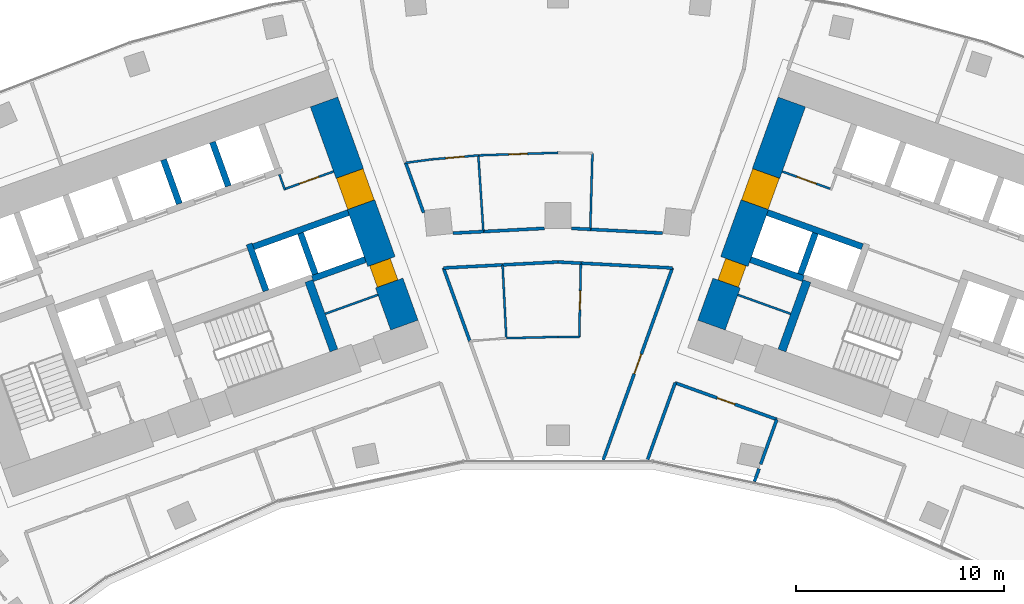
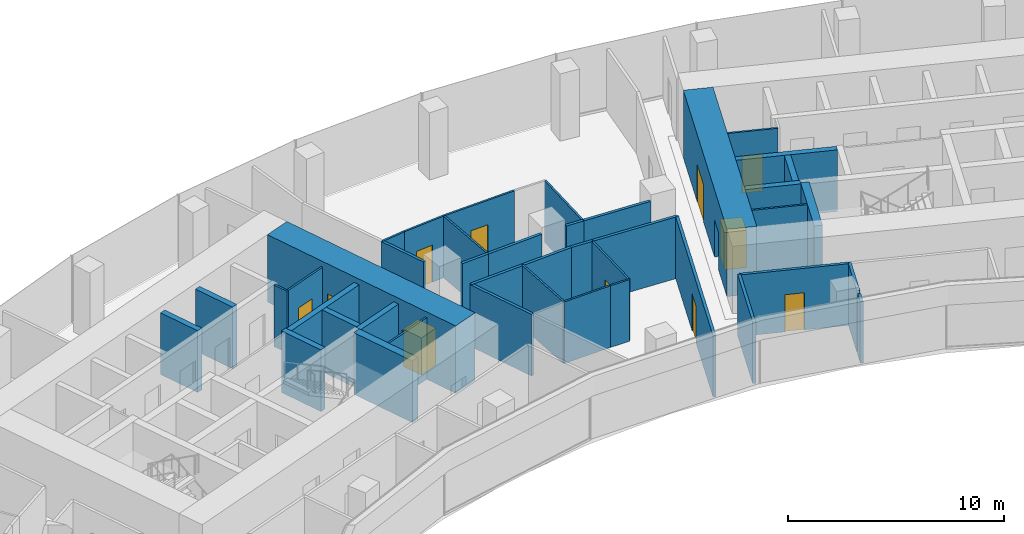
# One storey, part 15 of 21: 42 walls, 11 doors, 11 openings.
"""IFC4 building model written with IfcOpenShell, lengths in metres."""

from ifc_helpers import new_model, si_unit, direction, frame, frame_2d, origin, place, context, subcontext, project, spatial, rectangle, extrude, material, layer, layer_set, type_object, element, fill, save


model = new_model("IFC4")

# Units and contexts
model_context = context("Model", 3, precision=1e-05, world=origin(), true_north=direction((0.0, 1.0)))
body_context = subcontext(model_context, "Body", "Model", "MODEL_VIEW")
ifc_project = project(units=[si_unit("LENGTHUNIT", "METRE"), si_unit("AREAUNIT", "SQUARE_METRE"), si_unit("VOLUMEUNIT", "CUBIC_METRE"), si_unit("PLANEANGLEUNIT", "RADIAN"), si_unit("MASSUNIT", "GRAM", prefix="KILO")], contexts=[model_context])

# Site, building, storey
site_placement = place(None, origin())
site = spatial("IfcSite", under=ifc_project, at=site_placement, CompositionType="ELEMENT")
building_placement = place(site_placement, origin())
building = spatial("IfcBuilding", under=site, at=building_placement, Name="Stone Belt Terrace Tower", CompositionType="ELEMENT")
storey_placement = place(building_placement, frame((0.0, 0.0, 159.199951171875)))
storey = spatial("IfcBuildingStorey", under=building, at=storey_placement, Name="L38", CompositionType="ELEMENT", Elevation=159.199951171875)

# Walls
ifc_material_1 = material(Name="Plasterboard partition")
ifc_layer_1 = layer(ifc_material_1, 0.10009765625)
ifc_layer_set_1 = layer_set([ifc_layer_1], Name="Core partition 100")
wall_type_1 = type_object("IfcWallType", Name="Core partition 100", PredefinedType="PARTITIONING", material=ifc_layer_set_1)
wall_1_placement = place(storey_placement, frame((-11.187744140625, 50.2822265625, 0.0), z_axis=(0.0, 0.0, 1.0), x_axis=(0.940949642365, 0.338546555931, 0.0)))
element("IfcWall", 1, at=wall_1_placement, inside=storey, type_object=wall_type_1, Name="Core A wall", PredefinedType="PARTITIONING", context=body_context, shape_type="SweptSolid", body=[
    extrude(rectangle(XDim=2.699951171875, YDim=0.10009765625, at=frame_2d((1.35009765625, 0.0))), origin(), (0.0, 0.0, 1.0), 3.47998046875),
])
wall_2_placement = place(storey_placement, frame((-13.115966796875, 56.230712890625, 0.0), z_axis=(0.0, 0.0, 1.0), x_axis=(-0.338481684961, 0.940972979923, 0.0)))
element("IfcWall", 2, at=wall_2_placement, inside=storey, type_object=wall_type_1, Name="Core A wall", PredefinedType="PARTITIONING", context=body_context, shape_type="SweptSolid", body=[
    extrude(rectangle(XDim=0.7998046875, YDim=0.10009765625, at=frame_2d((0.39990234375, 0.0))), origin(), (0.0, 0.0, 1.0), 3.47998046875),
])

# Wall, opening, door
wall_3_placement = place(storey_placement, frame((-13.085693359375, 56.294677734375, 0.0), z_axis=(0.0, 0.0, 1.0), x_axis=(0.940922976849, 0.338620660383, 0.0)))
wall_3 = element("IfcWall", 3, at=wall_3_placement, inside=storey, type_object=wall_type_1, Name="Core A wall", PredefinedType="PARTITIONING", context=body_context, shape_type="SweptSolid", body=[
    extrude(rectangle(XDim=2.449951171875, YDim=0.10009765625, at=frame_2d((1.22509765625, 0.0))), origin(), (0.0, 0.0, 1.0), 3.47998046875),
])
opening_1_placement = place(wall_3_placement, frame((0.699951171875, 0.0, 0.0)))
opening_1 = element("IfcOpeningElement", 4, at=opening_1_placement, cuts=wall_3, Name="Opening L38-C01", PredefinedType="OPENING", context=body_context, shape_type="SweptSolid", body=[
    extrude(rectangle(XDim=1.0, YDim=2.10009765625, at=frame_2d((0.5, 1.050048828125))), frame((0.0, 0.06005859375, 0.0), z_axis=(0.0, -1.0, 0.0), x_axis=(1.0, 0.0, 0.0)), (0.0, 0.0, 1.0), 0.1201171875),
])
ifc_material_2 = material(Name="Timber door leaf", Category="wood")
door_type_1 = type_object("IfcDoorType", Name="Core room door 1000", OperationType="SINGLE_SWING_LEFT", PredefinedType="DOOR", material=ifc_material_2)
door_1_placement = place(opening_1_placement, origin())
door_1 = element("IfcDoor", 5, at=door_1_placement, inside=storey, type_object=door_type_1, Name="Door to Services store core A", OperationType="SINGLE_SWING_RIGHT", OverallHeight=2.10009765625, OverallWidth=1.0, PredefinedType="DOOR", context=body_context, shape_type="SweptSolid", body=[
    extrude(rectangle(XDim=1.0, YDim=2.10009765625, at=frame_2d((0.5, 1.050048828125))), frame((0.0, 0.02490234375, 0.0), z_axis=(0.0, -1.0, 0.0), x_axis=(1.0, 0.0, 0.0)), (0.0, 0.0, 1.0), 0.050048828125),
])
fill(opening_1, door_1)

# Wall
wall_4_placement = place(storey_placement, frame((11.187744140625, 50.2822265625, 0.0), z_axis=(0.0, 0.0, 1.0), x_axis=(-0.940949642365, 0.338546555931, 0.0)))
element("IfcWall", 6, at=wall_4_placement, inside=storey, type_object=wall_type_1, Name="Core B wall", PredefinedType="PARTITIONING", context=body_context, shape_type="SweptSolid", body=[
    extrude(rectangle(XDim=2.699951171875, YDim=0.10009765625, at=frame_2d((1.35009765625, 0.0))), origin(), (0.0, 0.0, 1.0), 3.47998046875),
])

# Wall, opening, door
wall_5_placement = place(storey_placement, frame((13.085693359375, 56.294677734375, 0.0), z_axis=(0.0, 0.0, 1.0), x_axis=(-0.940922976849, 0.338620660383, 0.0)))
wall_5 = element("IfcWall", 7, at=wall_5_placement, inside=storey, type_object=wall_type_1, Name="Core B wall", PredefinedType="PARTITIONING", context=body_context, shape_type="SweptSolid", body=[
    extrude(rectangle(XDim=2.449951171875, YDim=0.10009765625, at=frame_2d((1.22509765625, 0.0))), origin(), (0.0, 0.0, 1.0), 3.47998046875),
])
opening_2_placement = place(wall_5_placement, frame((0.699951171875, 0.0, 0.0)))
opening_2 = element("IfcOpeningElement", 8, at=opening_2_placement, cuts=wall_5, Name="Opening L38-C12", PredefinedType="OPENING", context=body_context, shape_type="SweptSolid", body=[
    extrude(rectangle(XDim=1.0, YDim=2.10009765625, at=frame_2d((0.5, 1.050048828125))), frame((0.0, 0.06005859375, 0.0), z_axis=(0.0, -1.0, 0.0), x_axis=(1.0, 0.0, 0.0)), (0.0, 0.0, 1.0), 0.1201171875),
])
door_2_placement = place(opening_2_placement, origin())
door_2 = element("IfcDoor", 9, at=door_2_placement, inside=storey, type_object=door_type_1, Name="Door to Services store core B", OperationType="SINGLE_SWING_LEFT", OverallHeight=2.10009765625, OverallWidth=1.0, PredefinedType="DOOR", context=body_context, shape_type="SweptSolid", body=[
    extrude(rectangle(XDim=1.0, YDim=2.10009765625, at=frame_2d((0.5, 1.050048828125))), frame((0.0, 0.02490234375, 0.0), z_axis=(0.0, -1.0, 0.0), x_axis=(1.0, 0.0, 0.0)), (0.0, 0.0, 1.0), 0.050048828125),
])
fill(opening_2, door_2)

# Wall, openings, doors
ifc_material_3 = material(Name="Concrete B80", Category="concrete")
ifc_layer_2 = layer(ifc_material_3, 1.39990234375)
ifc_layer_set_2 = layer_set([ifc_layer_2], Name="Core wall 1400 B80")
wall_type_2 = type_object("IfcWallType", Name="Core wall 1400 B80", PredefinedType="SHEAR", material=ifc_layer_set_2)
wall_6_placement = place(storey_placement, frame((-7.379150390625, 49.73974609375, 0.0), z_axis=(0.0, 0.0, 1.0), x_axis=(-0.338625431531, 0.940921259788, 0.0)))
wall_6 = element("IfcWall", 10, at=wall_6_placement, inside=storey, type_object=wall_type_2, Name="Core A wall end_b L38", PredefinedType="SHEAR", context=body_context, shape_type="SweptSolid", body=[
    extrude(rectangle(XDim=11.400146484375, YDim=1.39990234375, at=frame_2d((5.7001953125, 0.0))), origin(), (0.0, 0.0, 1.0), 3.800048828125),
])
opening_3_placement = place(wall_6_placement, frame((6.14990234375, 0.0, 0.0)))
opening_3 = element("IfcOpeningElement", 11, at=opening_3_placement, cuts=wall_6, Name="Opening L38-C04", PredefinedType="OPENING", context=body_context, shape_type="SweptSolid", body=[
    extrude(rectangle(XDim=1.60009765625, YDim=2.10009765625, at=frame_2d((0.800048828125, 1.050048828125))), frame((0.0, 0.7099609375, 0.0), z_axis=(0.0, -1.0, 0.0), x_axis=(1.0, 0.0, 0.0)), (0.0, 0.0, 1.0), 1.419921875),
])
opening_4_placement = place(wall_6_placement, frame((2.14990234375, 0.0, 0.0)))
opening_4 = element("IfcOpeningElement", 12, at=opening_4_placement, cuts=wall_6, Name="Opening L38-C10", PredefinedType="OPENING", context=body_context, shape_type="SweptSolid", body=[
    extrude(rectangle(XDim=1.10009765625, YDim=2.10009765625, at=frame_2d((0.550048828125, 1.050048828125))), frame((0.0, 0.7099609375, 0.0), z_axis=(0.0, -1.0, 0.0), x_axis=(1.0, 0.0, 0.0)), (0.0, 0.0, 1.0), 1.419921875),
])
door_type_2 = type_object("IfcDoorType", Name="Core room door 1100", OperationType="SINGLE_SWING_LEFT", PredefinedType="DOOR", material=ifc_material_2)
door_3_placement = place(opening_4_placement, origin())
door_3 = element("IfcDoor", 13, at=door_3_placement, inside=storey, type_object=door_type_2, Name="Door to Accessible WC core A", OperationType="SINGLE_SWING_LEFT", OverallHeight=2.10009765625, OverallWidth=1.10009765625, PredefinedType="DOOR", context=body_context, shape_type="SweptSolid", body=[
    extrude(rectangle(XDim=1.10009765625, YDim=2.10009765625, at=frame_2d((0.550048828125, 1.050048828125))), frame((0.0, 0.60498046875, 0.0), z_axis=(0.0, -1.0, 0.0), x_axis=(1.0, 0.0, 0.0)), (0.0, 0.0, 1.0), 1.050048828125),
])
fill(opening_4, door_3)
ifc_material_4 = material(Name="Glazed aluminium door leaf", Category="aluminium")
door_type_3 = type_object("IfcDoorType", Name="Lift lobby entrance door 1600", OperationType="DOUBLE_DOOR_SINGLE_SWING", PredefinedType="DOOR", material=ifc_material_4)
door_4_placement = place(opening_3_placement, origin())
door_4 = element("IfcDoor", 14, at=door_4_placement, inside=storey, type_object=door_type_3, Name="Lift lobby entrance door core A", OperationType="DOUBLE_DOOR_SINGLE_SWING", OverallHeight=2.10009765625, OverallWidth=1.60009765625, PredefinedType="DOOR", context=body_context, shape_type="SweptSolid", body=[
    extrude(rectangle(XDim=1.60009765625, YDim=2.10009765625, at=frame_2d((0.800048828125, 1.050048828125))), frame((0.0, 0.68017578125, 0.0), z_axis=(0.0, -1.0, 0.0), x_axis=(1.0, 0.0, 0.0)), (0.0, 0.0, 1.0), 1.360107421875),
])
fill(opening_3, door_4)

wall_7_placement = place(storey_placement, frame((7.379150390625, 49.73974609375, 0.0), z_axis=(0.0, 0.0, 1.0), x_axis=(0.338625431531, 0.940921259788, 0.0)))
wall_7 = element("IfcWall", 15, at=wall_7_placement, inside=storey, type_object=wall_type_2, Name="Core B wall end_a L38", PredefinedType="SHEAR", context=body_context, shape_type="SweptSolid", body=[
    extrude(rectangle(XDim=11.400146484375, YDim=1.39990234375, at=frame_2d((5.7001953125, 0.0))), origin(), (0.0, 0.0, 1.0), 3.800048828125),
])
opening_5_placement = place(wall_7_placement, frame((6.14990234375, 0.0, 0.0)))
opening_5 = element("IfcOpeningElement", 16, at=opening_5_placement, cuts=wall_7, Name="Opening L38-C15", PredefinedType="OPENING", context=body_context, shape_type="SweptSolid", body=[
    extrude(rectangle(XDim=1.60009765625, YDim=2.10009765625, at=frame_2d((0.800048828125, 1.050048828125))), frame((0.0, 0.7099609375, 0.0), z_axis=(0.0, -1.0, 0.0), x_axis=(1.0, 0.0, 0.0)), (0.0, 0.0, 1.0), 1.419921875),
])
opening_6_placement = place(wall_7_placement, frame((2.14990234375, 0.0, 0.0)))
opening_6 = element("IfcOpeningElement", 17, at=opening_6_placement, cuts=wall_7, Name="Opening L38-C21", PredefinedType="OPENING", context=body_context, shape_type="SweptSolid", body=[
    extrude(rectangle(XDim=1.10009765625, YDim=2.10009765625, at=frame_2d((0.550048828125, 1.050048828125))), frame((0.0, 0.7099609375, 0.0), z_axis=(0.0, -1.0, 0.0), x_axis=(1.0, 0.0, 0.0)), (0.0, 0.0, 1.0), 1.419921875),
])
door_5_placement = place(opening_6_placement, origin())
door_5 = element("IfcDoor", 18, at=door_5_placement, inside=storey, type_object=door_type_2, Name="Door to Accessible WC core B", OperationType="SINGLE_SWING_RIGHT", OverallHeight=2.10009765625, OverallWidth=1.10009765625, PredefinedType="DOOR", context=body_context, shape_type="SweptSolid", body=[
    extrude(rectangle(XDim=1.10009765625, YDim=2.10009765625, at=frame_2d((0.550048828125, 1.050048828125))), frame((0.0, 0.44482421875, 0.0), z_axis=(0.0, -1.0, 0.0), x_axis=(1.0, 0.0, 0.0)), (0.0, 0.0, 1.0), 1.050048828125),
])
fill(opening_6, door_5)
door_6_placement = place(opening_5_placement, origin())
door_6 = element("IfcDoor", 19, at=door_6_placement, inside=storey, type_object=door_type_3, Name="Lift lobby entrance door core B", OperationType="DOUBLE_DOOR_SINGLE_SWING", OverallHeight=2.10009765625, OverallWidth=1.60009765625, PredefinedType="DOOR", context=body_context, shape_type="SweptSolid", body=[
    extrude(rectangle(XDim=1.60009765625, YDim=2.10009765625, at=frame_2d((0.800048828125, 1.050048828125))), frame((0.0, 0.68017578125, 0.0), z_axis=(0.0, -1.0, 0.0), x_axis=(1.0, 0.0, 0.0)), (0.0, 0.0, 1.0), 1.360107421875),
])
fill(opening_5, door_6)

# Walls
ifc_layer_3 = layer(ifc_material_3, 0.300048828125)
ifc_layer_set_3 = layer_set([ifc_layer_3], Name="Lift shaft wall 300")
wall_type_3 = type_object("IfcWallType", Name="Lift shaft wall 300", PredefinedType="SHEAR", material=ifc_layer_set_3)
wall_8_placement = place(storey_placement, frame((-18.193115234375, 55.572509765625, 0.0), z_axis=(0.0, 0.0, 1.0), x_axis=(-0.338535034312, 0.940953787677, 0.0)))
element("IfcWall", 20, at=wall_8_placement, inside=storey, type_object=wall_type_3, Name="Core A wall", PredefinedType="SHEAR", context=body_context, shape_type="SweptSolid", body=[
    extrude(rectangle(XDim=2.25, YDim=0.300048828125, at=frame_2d((1.125, 0.0))), origin(), (0.0, 0.0, 1.0), 3.47998046875),
])
wall_9_placement = place(storey_placement, frame((-14.029052734375, 51.38525390625, 0.0), z_axis=(0.0, 0.0, 1.0), x_axis=(-0.338661829791, 0.940908159728, 0.0)))
element("IfcWall", 21, at=wall_9_placement, inside=storey, type_object=wall_type_3, Name="Core A wall", PredefinedType="SHEAR", context=body_context, shape_type="SweptSolid", body=[
    extrude(rectangle(XDim=2.39990234375, YDim=0.300048828125, at=frame_2d((1.199951171875, 0.0))), origin(), (0.0, 0.0, 1.0), 3.47998046875),
])
wall_10_placement = place(storey_placement, frame((-14.6328125, 53.506103515625, 0.0), z_axis=(0.0, 0.0, 1.0), x_axis=(0.940931684323, 0.338596464007, 0.0)))
element("IfcWall", 22, at=wall_10_placement, inside=storey, type_object=wall_type_3, Name="Core A wall", PredefinedType="SHEAR", context=body_context, shape_type="SweptSolid", body=[
    extrude(rectangle(XDim=4.849609375, YDim=0.300048828125, at=frame_2d((2.4248046875, 0.0))), origin(), (0.0, 0.0, 1.0), 3.47998046875),
])
wall_11_placement = place(storey_placement, frame((-15.8408203125, 56.419189453125, 0.0), z_axis=(0.0, 0.0, 1.0), x_axis=(-0.338569601369, 0.940941350472, 0.0)))
element("IfcWall", 23, at=wall_11_placement, inside=storey, type_object=wall_type_3, Name="Core A wall", PredefinedType="SHEAR", context=body_context, shape_type="SweptSolid", body=[
    extrude(rectangle(XDim=2.249755859375, YDim=0.300048828125, at=frame_2d((1.125, 0.0))), origin(), (0.0, 0.0, 1.0), 3.47998046875),
])
wall_12_placement = place(storey_placement, frame((-11.797119140625, 51.975830078125, 0.0), z_axis=(0.0, 0.0, 1.0), x_axis=(0.940910465161, 0.33865542451, 0.0)))
element("IfcWall", 24, at=wall_12_placement, inside=storey, type_object=wall_type_3, Name="Core A wall", PredefinedType="SHEAR", context=body_context, shape_type="SweptSolid", body=[
    extrude(rectangle(XDim=2.69970703125, YDim=0.300048828125, at=frame_2d((1.349853515625, 0.0))), origin(), (0.0, 0.0, 1.0), 3.47998046875),
])
wall_13_placement = place(storey_placement, frame((-11.659912109375, 52.184814453125, 0.0), z_axis=(0.0, 0.0, 1.0), x_axis=(-0.338670064856, 0.940905195634, 0.0)))
element("IfcWall", 25, at=wall_13_placement, inside=storey, type_object=wall_type_3, Name="Core A wall", PredefinedType="SHEAR", context=body_context, shape_type="SweptSolid", body=[
    extrude(rectangle(XDim=2.099853515625, YDim=0.300048828125, at=frame_2d((1.0498046875, 0.0))), origin(), (0.0, 0.0, 1.0), 3.47998046875),
])
wall_14_placement = place(storey_placement, frame((14.6328125, 53.506103515625, 0.0), z_axis=(0.0, 0.0, 1.0), x_axis=(-0.940931684323, 0.338596464007, 0.0)))
element("IfcWall", 26, at=wall_14_placement, inside=storey, type_object=wall_type_3, Name="Core B wall", PredefinedType="SHEAR", context=body_context, shape_type="SweptSolid", body=[
    extrude(rectangle(XDim=4.849609375, YDim=0.300048828125, at=frame_2d((2.4248046875, 0.0))), origin(), (0.0, 0.0, 1.0), 3.47998046875),
])
wall_15_placement = place(storey_placement, frame((11.797119140625, 51.975830078125, 0.0), z_axis=(0.0, 0.0, 1.0), x_axis=(-0.940910465161, 0.33865542451, 0.0)))
element("IfcWall", 27, at=wall_15_placement, inside=storey, type_object=wall_type_3, Name="Core B wall", PredefinedType="SHEAR", context=body_context, shape_type="SweptSolid", body=[
    extrude(rectangle(XDim=2.69970703125, YDim=0.300048828125, at=frame_2d((1.349853515625, 0.0))), origin(), (0.0, 0.0, 1.0), 3.47998046875),
])
wall_16_placement = place(storey_placement, frame((11.659912109375, 52.184814453125, 0.0), z_axis=(0.0, 0.0, 1.0), x_axis=(0.338670064856, 0.940905195634, 0.0)))
element("IfcWall", 28, at=wall_16_placement, inside=storey, type_object=wall_type_3, Name="Core B wall", PredefinedType="SHEAR", context=body_context, shape_type="SweptSolid", body=[
    extrude(rectangle(XDim=2.099853515625, YDim=0.300048828125, at=frame_2d((1.0498046875, 0.0))), origin(), (0.0, 0.0, 1.0), 3.47998046875),
])
ifc_material_5 = material(Name="Gypsum board partition")
ifc_layer_4 = layer(ifc_material_5, 0.10009765625)
ifc_layer_set_4 = layer_set([ifc_layer_4], Name="PARTITION 100")
wall_type_4 = type_object("IfcWallType", Name="PARTITION 100", PredefinedType="PARTITIONING", material=ifc_layer_set_4)
wall_17_placement = place(storey_placement, frame((-2.48095703125, 49.112060546875, 0.0), z_axis=(0.0, 0.0, 1.0), x_axis=(0.999677862605, 0.025380524361, 0.0)))
element("IfcWall", 29, at=wall_17_placement, inside=storey, type_object=wall_type_4, Name="L38/wall/i092", PredefinedType="PARTITIONING", context=body_context, shape_type="SweptSolid", body=[
    extrude(rectangle(XDim=2.481689453125, YDim=0.10009765625, at=frame_2d((1.24072265625, 0.0))), origin(), (0.0, 0.0, 1.0), 3.47998046875),
])
wall_18_placement = place(storey_placement, frame((0.0, 49.175048828125, 0.0), z_axis=(0.0, 0.0, 1.0), x_axis=(0.999942797799, -0.010695846423, 0.0)))
element("IfcWall", 30, at=wall_18_placement, inside=storey, type_object=wall_type_4, Name="L38/wall/i093", PredefinedType="PARTITIONING", context=body_context, shape_type="SweptSolid", body=[
    extrude(rectangle(XDim=1.027099609375, YDim=0.10009765625, at=frame_2d((0.513671875, 0.0))), origin(), (0.0, 0.0, 1.0), 3.47998046875),
])

# Wall, opening, door
wall_19_placement = place(storey_placement, frame((1.027099609375, 49.1640625, 0.0), z_axis=(0.0, 0.0, 1.0), x_axis=(0.020815938119, 0.999783324886, 0.0)))
wall_19 = element("IfcWall", 31, at=wall_19_placement, inside=storey, type_object=wall_type_4, Name="L38/wall/i094", PredefinedType="PARTITIONING", context=body_context, shape_type="SweptSolid", body=[
    extrude(rectangle(XDim=3.5537109375, YDim=0.10009765625, at=frame_2d((1.77685546875, 0.0))), origin(), (0.0, 0.0, 1.0), 3.47998046875),
])
opening_7_placement = place(wall_19_placement, frame((1.326904296875, 0.0, 0.0)))
opening_7 = element("IfcOpeningElement", 32, at=opening_7_placement, cuts=wall_19, Name="Opening D-C2-29", PredefinedType="OPENING", context=body_context, shape_type="SweptSolid", body=[
    extrude(rectangle(XDim=0.89990234375, YDim=2.10009765625, at=frame_2d((0.449951171875, 1.050048828125))), frame((0.0, 0.06005859375, 0.0), z_axis=(0.0, -1.0, 0.0), x_axis=(1.0, 0.0, 0.0)), (0.0, 0.0, 1.0), 0.1201171875),
])
door_type_4 = type_object("IfcDoorType", Name="OFFICE DOOR 900 X 2100", OperationType="NOTDEFINED", PredefinedType="DOOR", material=ifc_material_2)
door_7_placement = place(opening_7_placement, origin())
door_7 = element("IfcDoor", 33, at=door_7_placement, inside=storey, type_object=door_type_4, Name="L38/door/i29", OperationType="SINGLE_SWING_RIGHT", OverallHeight=2.10009765625, OverallWidth=0.89990234375, PredefinedType="DOOR", context=body_context, shape_type="SweptSolid", body=[
    extrude(rectangle(XDim=0.89990234375, YDim=2.10009765625, at=frame_2d((0.449951171875, 1.050048828125))), frame((0.0, 0.02490234375, 0.0), z_axis=(0.0, -1.0, 0.0), x_axis=(1.0, 0.0, 0.0)), (0.0, 0.0, 1.0), 0.050048828125),
])
fill(opening_7, door_7)

# Wall
wall_20_placement = place(storey_placement, frame((-2.658935546875, 52.635986328125, 0.0), z_axis=(0.0, 0.0, 1.0), x_axis=(0.050441457474, -0.998727019444, 0.0)))
element("IfcWall", 34, at=wall_20_placement, inside=storey, type_object=wall_type_4, Name="L38/wall/i095", PredefinedType="PARTITIONING", context=body_context, shape_type="SweptSolid", body=[
    extrude(rectangle(XDim=3.5283203125, YDim=0.10009765625, at=frame_2d((1.76416015625, 0.0))), origin(), (0.0, 0.0, 1.0), 3.47998046875),
])

# Wall, opening, door
wall_21_placement = place(storey_placement, frame((-3.823974609375, 57.89892578125, 0.0), z_axis=(0.0, 0.0, 1.0), x_axis=(-0.996353770626, -0.085318015439, 0.0)))
wall_21 = element("IfcWall", 35, at=wall_21_placement, inside=storey, type_object=wall_type_4, Name="L38/wall/i096", PredefinedType="PARTITIONING", context=body_context, shape_type="SweptSolid", body=[
    extrude(rectangle(XDim=2.249267578125, YDim=0.10009765625, at=frame_2d((1.12451171875, 0.0))), origin(), (0.0, 0.0, 1.0), 3.47998046875),
])
opening_8_placement = place(wall_21_placement, frame((0.674560546875, 0.0, 0.0)))
opening_8 = element("IfcOpeningElement", 36, at=opening_8_placement, cuts=wall_21, Name="Opening D-C2-31", PredefinedType="OPENING", context=body_context, shape_type="SweptSolid", body=[
    extrude(rectangle(XDim=0.89990234375, YDim=2.10009765625, at=frame_2d((0.449951171875, 1.050048828125))), frame((0.0, 0.06005859375, 0.0), z_axis=(0.0, -1.0, 0.0), x_axis=(1.0, 0.0, 0.0)), (0.0, 0.0, 1.0), 0.1201171875),
])
door_8_placement = place(opening_8_placement, origin())
door_8 = element("IfcDoor", 37, at=door_8_placement, inside=storey, type_object=door_type_4, Name="L38/door/i31", OperationType="SINGLE_SWING_RIGHT", OverallHeight=2.10009765625, OverallWidth=0.89990234375, PredefinedType="DOOR", context=body_context, shape_type="SweptSolid", body=[
    extrude(rectangle(XDim=0.89990234375, YDim=2.10009765625, at=frame_2d((0.449951171875, 1.050048828125))), frame((0.0, 0.02490234375, 0.0), z_axis=(0.0, -1.0, 0.0), x_axis=(1.0, 0.0, 0.0)), (0.0, 0.0, 1.0), 0.050048828125),
])
fill(opening_8, door_8)

# Walls
wall_22_placement = place(storey_placement, frame((-6.06494140625, 57.70703125, 0.0), z_axis=(0.0, 0.0, 1.0), x_axis=(-0.991238017123, -0.132087824608, 0.0)))
element("IfcWall", 38, at=wall_22_placement, inside=storey, type_object=wall_type_4, Name="L38/wall/i097", PredefinedType="PARTITIONING", context=body_context, shape_type="SweptSolid", body=[
    extrude(rectangle(XDim=1.26416015625, YDim=0.10009765625, at=frame_2d((0.632080078125, 0.0))), origin(), (0.0, 0.0, 1.0), 3.47998046875),
])
wall_23_placement = place(storey_placement, frame((1.555908203125, 54.343994140625, 0.0), z_axis=(0.0, 0.0, 1.0), x_axis=(0.028428321324, 0.999595833598, 0.0)))
element("IfcWall", 39, at=wall_23_placement, inside=storey, type_object=wall_type_4, Name="L38/wall/i098", PredefinedType="PARTITIONING", context=body_context, shape_type="SweptSolid", body=[
    extrude(rectangle(XDim=3.658447265625, YDim=0.10009765625, at=frame_2d((1.8291015625, 0.0))), origin(), (0.0, 0.0, 1.0), 3.47998046875),
])

# Wall, opening, door
wall_24_placement = place(storey_placement, frame((0.0, 58.02490234375, 0.0), z_axis=(0.0, 0.0, 1.0), x_axis=(-0.999457791673, -0.032926018036, 0.0)))
wall_24 = element("IfcWall", 40, at=wall_24_placement, inside=storey, type_object=wall_type_4, Name="L38/wall/i100", PredefinedType="PARTITIONING", context=body_context, shape_type="SweptSolid", body=[
    extrude(rectangle(XDim=3.825927734375, YDim=0.10009765625, at=frame_2d((1.9130859375, 0.0))), origin(), (0.0, 0.0, 1.0), 3.47998046875),
])
opening_9_placement = place(wall_24_placement, frame((1.463134765625, 0.0, 0.0)))
opening_9 = element("IfcOpeningElement", 41, at=opening_9_placement, cuts=wall_24, Name="Opening D-C2-32", PredefinedType="OPENING", context=body_context, shape_type="SweptSolid", body=[
    extrude(rectangle(XDim=0.89990234375, YDim=2.10009765625, at=frame_2d((0.449951171875, 1.050048828125))), frame((0.0, 0.06005859375, 0.0), z_axis=(0.0, -1.0, 0.0), x_axis=(1.0, 0.0, 0.0)), (0.0, 0.0, 1.0), 0.1201171875),
])
door_9_placement = place(opening_9_placement, origin())
door_9 = element("IfcDoor", 42, at=door_9_placement, inside=storey, type_object=door_type_4, Name="L38/door/i32", OperationType="SINGLE_SWING_RIGHT", OverallHeight=2.10009765625, OverallWidth=0.89990234375, PredefinedType="DOOR", context=body_context, shape_type="SweptSolid", body=[
    extrude(rectangle(XDim=0.89990234375, YDim=2.10009765625, at=frame_2d((0.449951171875, 1.050048828125))), frame((0.0, 0.02490234375, 0.0), z_axis=(0.0, -1.0, 0.0), x_axis=(1.0, 0.0, 0.0)), (0.0, 0.0, 1.0), 0.050048828125),
])
fill(opening_9, door_9)

# Walls
wall_25_placement = place(storey_placement, frame((-3.823974609375, 57.89892578125, 0.0), z_axis=(0.0, 0.0, 1.0), x_axis=(0.065927328972, -0.997824427089, 0.0)))
element("IfcWall", 43, at=wall_25_placement, inside=storey, type_object=wall_type_4, Name="L38/wall/i101", PredefinedType="PARTITIONING", context=body_context, shape_type="SweptSolid", body=[
    extrude(rectangle(XDim=3.669921875, YDim=0.10009765625, at=frame_2d((1.8349609375, 0.0))), origin(), (0.0, 0.0, 1.0), 3.47998046875),
])
ifc_layer_5 = layer(ifc_material_5, 0.14990234375)
ifc_layer_set_5 = layer_set([ifc_layer_5], Name="PARTITION 150 EI 60")
wall_type_5 = type_object("IfcWallType", Name="PARTITION 150 EI 60", PredefinedType="PARTITIONING", material=ifc_layer_set_5)
wall_26_placement = place(storey_placement, frame((-5.5009765625, 52.492919921875, 0.0), z_axis=(0.0, 0.0, 1.0), x_axis=(0.338673288888, -0.940904035167, 0.0)))
element("IfcWall", 44, at=wall_26_placement, inside=storey, type_object=wall_type_5, Name="L38/wall/i010", PredefinedType="PARTITIONING", context=body_context, shape_type="SweptSolid", body=[
    extrude(rectangle(XDim=3.744140625, YDim=0.14990234375, at=frame_2d((1.8720703125, 0.0))), origin(), (0.0, 0.0, 1.0), 3.47998046875),
])
wall_27_placement = place(storey_placement, frame((-7.319091796875, 57.5458984375, 0.0), z_axis=(0.0, 0.0, 1.0), x_axis=(0.338411575899, -0.940998196224, 0.0)))
element("IfcWall", 45, at=wall_27_placement, inside=storey, type_object=wall_type_5, Name="L38/wall/i013", PredefinedType="PARTITIONING", context=body_context, shape_type="SweptSolid", body=[
    extrude(rectangle(XDim=2.555419921875, YDim=0.14990234375, at=frame_2d((1.27783203125, 0.0))), origin(), (0.0, 0.0, 1.0), 3.47998046875),
])
wall_28_placement = place(storey_placement, frame((5.638916015625, 46.971923828125, 0.0), z_axis=(0.0, 0.0, 1.0), x_axis=(-0.338569683937, -0.940941320763, 0.0)))
element("IfcWall", 46, at=wall_28_placement, inside=storey, type_object=wall_type_5, Name="L38/wall/i022", PredefinedType="PARTITIONING", context=body_context, shape_type="SweptSolid", body=[
    extrude(rectangle(XDim=3.9248046875, YDim=0.14990234375, at=frame_2d((1.96240234375, 0.0))), origin(), (0.0, 0.0, 1.0), 3.47998046875),
])

# Wall, opening, door
wall_29_placement = place(storey_placement, frame((2.178466796875, 43.26171875, 0.0), z_axis=(0.0, 0.0, 1.0), x_axis=(0.338654259988, 0.940910884299, 0.0)))
wall_29 = element("IfcWall", 47, at=wall_29_placement, inside=storey, type_object=wall_type_5, Name="L38/wall/i024", PredefinedType="PARTITIONING", context=body_context, shape_type="SweptSolid", body=[
    extrude(rectangle(XDim=9.81103515625, YDim=0.14990234375, at=frame_2d((4.905517578125, 0.0))), origin(), (0.0, 0.0, 1.0), 3.47998046875),
])
opening_10_placement = place(wall_29_placement, frame((4.405517578125, 0.0, 0.0)))
opening_10 = element("IfcOpeningElement", 48, at=opening_10_placement, cuts=wall_29, Name="Opening D-C2-27", PredefinedType="OPENING", context=body_context, shape_type="SweptSolid", body=[
    extrude(rectangle(XDim=1.0, YDim=2.10009765625, at=frame_2d((0.5, 1.050048828125))), frame((0.0, 0.0849609375, 0.0), z_axis=(0.0, -1.0, 0.0), x_axis=(1.0, 0.0, 0.0)), (0.0, 0.0, 1.0), 0.169921875),
])
ifc_material_6 = material(Name="Timber fire door leaf", Category="wood")
door_type_5 = type_object("IfcDoorType", Name="TENANCY ENTRANCE DOOR 1000 X 2100", OperationType="NOTDEFINED", PredefinedType="DOOR", material=ifc_material_6)
door_10_placement = place(opening_10_placement, origin())
door_10 = element("IfcDoor", 49, at=door_10_placement, inside=storey, type_object=door_type_5, Name="L38/door/i27", OperationType="SINGLE_SWING_LEFT", OverallHeight=2.10009765625, OverallWidth=1.0, PredefinedType="DOOR", context=body_context, shape_type="SweptSolid", body=[
    extrude(rectangle(XDim=1.0, YDim=2.10009765625, at=frame_2d((0.5, 1.050048828125))), frame((0.0, 0.02490234375, 0.0), z_axis=(0.0, -1.0, 0.0), x_axis=(1.0, 0.0, 0.0)), (0.0, 0.0, 1.0), 0.050048828125),
])
fill(opening_10, door_10)

wall_30_placement = place(storey_placement, frame((10.52587890625, 45.20703125, 0.0), z_axis=(0.0, 0.0, 1.0), x_axis=(-0.940925748953, 0.338612957455, 0.0)))
wall_30 = element("IfcWall", 50, at=wall_30_placement, inside=storey, type_object=wall_type_5, Name="L38/wall/i034", PredefinedType="PARTITIONING", context=body_context, shape_type="SweptSolid", body=[
    extrude(rectangle(XDim=5.19482421875, YDim=0.14990234375, at=frame_2d((2.597412109375, 0.0))), origin(), (0.0, 0.0, 1.0), 3.47998046875),
])
opening_11_placement = place(wall_30_placement, frame((2.1474609375, 0.0, 0.0)))
opening_11 = element("IfcOpeningElement", 51, at=opening_11_placement, cuts=wall_30, Name="Opening D-C2-07", PredefinedType="OPENING", context=body_context, shape_type="SweptSolid", body=[
    extrude(rectangle(XDim=0.89990234375, YDim=2.10009765625, at=frame_2d((0.449951171875, 1.050048828125))), frame((0.0, 0.0849609375, 0.0), z_axis=(0.0, -1.0, 0.0), x_axis=(1.0, 0.0, 0.0)), (0.0, 0.0, 1.0), 0.169921875),
])
door_11_placement = place(opening_11_placement, origin())
door_11 = element("IfcDoor", 52, at=door_11_placement, inside=storey, type_object=door_type_4, Name="L38/door/i07", OperationType="SINGLE_SWING_RIGHT", OverallHeight=2.10009765625, OverallWidth=0.89990234375, PredefinedType="DOOR", context=body_context, shape_type="SweptSolid", body=[
    extrude(rectangle(XDim=0.89990234375, YDim=2.10009765625, at=frame_2d((0.449951171875, 1.050048828125))), frame((0.0, 0.02490234375, 0.0), z_axis=(0.0, -1.0, 0.0), x_axis=(1.0, 0.0, 0.0)), (0.0, 0.0, 1.0), 0.050048828125),
])
fill(opening_11, door_11)

# Walls
wall_31_placement = place(storey_placement, frame((10.52001953125, 45.208984375, 0.0), z_axis=(0.0, 0.0, 1.0), x_axis=(-0.338685493229, -0.940899642191, 0.0)))
element("IfcWall", 53, at=wall_31_placement, inside=storey, type_object=wall_type_5, Name="L38/wall/i039", PredefinedType="PARTITIONING", context=body_context, shape_type="SweptSolid", body=[
    extrude(rectangle(XDim=2.2900390625, YDim=0.14990234375, at=frame_2d((1.14501953125, 0.0))), origin(), (0.0, 0.0, 1.0), 3.47998046875),
])
wall_32_placement = place(storey_placement, frame((9.667724609375, 42.841064453125, 0.0), z_axis=(0.0, 0.0, 1.0), x_axis=(-0.338798136605, -0.940859087554, 0.0)))
element("IfcWall", 54, at=wall_32_placement, inside=storey, type_object=wall_type_5, Name="L38/wall/i040", PredefinedType="PARTITIONING", context=body_context, shape_type="SweptSolid", body=[
    extrude(rectangle(XDim=0.659423828125, YDim=0.14990234375, at=frame_2d((0.32958984375, 0.0))), origin(), (0.0, 0.0, 1.0), 3.47998046875),
])
wall_33_placement = place(storey_placement, frame((5.4990234375, 52.487060546875, 0.0), z_axis=(0.0, 0.0, 1.0), x_axis=(-0.998627751692, 0.052369968019, 0.0)))
element("IfcWall", 55, at=wall_33_placement, inside=storey, type_object=wall_type_5, Name="L38/wall/i083", PredefinedType="PARTITIONING", context=body_context, shape_type="SweptSolid", body=[
    extrude(rectangle(XDim=4.41015625, YDim=0.14990234375, at=frame_2d((2.205078125, 0.0))), origin(), (0.0, 0.0, 1.0), 3.47998046875),
])
wall_34_placement = place(storey_placement, frame((-2.653076171875, 52.635986328125, 0.0), z_axis=(0.0, 0.0, 1.0), x_axis=(-0.998633639599, -0.052257572287, 0.0)))
element("IfcWall", 56, at=wall_34_placement, inside=storey, type_object=wall_type_5, Name="L38/wall/i084", PredefinedType="PARTITIONING", context=body_context, shape_type="SweptSolid", body=[
    extrude(rectangle(XDim=2.849853515625, YDim=0.14990234375, at=frame_2d((1.4248046875, 0.0))), origin(), (0.0, 0.0, 1.0), 3.47998046875),
])
wall_35_placement = place(storey_placement, frame((1.10693359375, 52.717041015625, 0.0), z_axis=(0.0, 0.0, 1.0), x_axis=(-0.998636626653, 0.05220045887, 0.0)))
element("IfcWall", 57, at=wall_35_placement, inside=storey, type_object=wall_type_5, Name="L38/wall/i085", PredefinedType="PARTITIONING", context=body_context, shape_type="SweptSolid", body=[
    extrude(rectangle(XDim=1.1083984375, YDim=0.14990234375, at=frame_2d((0.55419921875, 0.0))), origin(), (0.0, 0.0, 1.0), 3.47998046875),
])
wall_36_placement = place(storey_placement, frame((0.0, 52.77490234375, 0.0), z_axis=(0.0, 0.0, 1.0), x_axis=(-0.998625148349, -0.052419586845, 0.0)))
element("IfcWall", 58, at=wall_36_placement, inside=storey, type_object=wall_type_5, Name="L38/wall/i086", PredefinedType="PARTITIONING", context=body_context, shape_type="SweptSolid", body=[
    extrude(rectangle(XDim=2.668701171875, YDim=0.14990234375, at=frame_2d((1.33447265625, 0.0))), origin(), (0.0, 0.0, 1.0), 3.47998046875),
])
wall_37_placement = place(storey_placement, frame((1.550048828125, 54.343994140625, 0.0), z_axis=(0.0, 0.0, 1.0), x_axis=(0.998629019036, -0.052345795812, 0.0)))
element("IfcWall", 59, at=wall_37_placement, inside=storey, type_object=wall_type_5, Name="L38/wall/i087", PredefinedType="PARTITIONING", context=body_context, shape_type="SweptSolid", body=[
    extrude(rectangle(XDim=3.48876953125, YDim=0.14990234375, at=frame_2d((1.744384765625, 0.0))), origin(), (0.0, 0.0, 1.0), 3.47998046875),
])
wall_38_placement = place(storey_placement, frame((-5.033935546875, 54.161376953125, 0.0), z_axis=(0.0, 0.0, 1.0), x_axis=(0.998620599498, 0.052506173517, 0.0)))
element("IfcWall", 60, at=wall_38_placement, inside=storey, type_object=wall_type_5, Name="L38/wall/i088", PredefinedType="PARTITIONING", context=body_context, shape_type="SweptSolid", body=[
    extrude(rectangle(XDim=1.4599609375, YDim=0.14990234375, at=frame_2d((0.72998046875, 0.0))), origin(), (0.0, 0.0, 1.0), 3.47998046875),
])
wall_39_placement = place(storey_placement, frame((-3.587890625, 54.237060546875, 0.0), z_axis=(0.0, 0.0, 1.0), x_axis=(0.998632030304, 0.052288316579, 0.0)))
element("IfcWall", 61, at=wall_39_placement, inside=storey, type_object=wall_type_5, Name="L38/wall/i089", PredefinedType="PARTITIONING", context=body_context, shape_type="SweptSolid", body=[
    extrude(rectangle(XDim=2.936767578125, YDim=0.14990234375, at=frame_2d((1.46826171875, 0.0))), origin(), (0.0, 0.0, 1.0), 3.47998046875),
])
wall_40_placement = place(storey_placement, frame((0.655029296875, 54.390625, 0.0), z_axis=(0.0, 0.0, 1.0), x_axis=(0.998625245027, -0.052417745028, 0.0)))
element("IfcWall", 62, at=wall_40_placement, inside=storey, type_object=wall_type_5, Name="L38/wall/i090", PredefinedType="PARTITIONING", context=body_context, shape_type="SweptSolid", body=[
    extrude(rectangle(XDim=0.908203125, YDim=0.14990234375, at=frame_2d((0.4541015625, 0.0))), origin(), (0.0, 0.0, 1.0), 3.47998046875),
])
ifc_layer_6 = layer(ifc_material_3, 0.39990234375)
ifc_layer_set_6 = layer_set([ifc_layer_6], Name="Stair enclosure wall 400")
wall_type_6 = type_object("IfcWallType", Name="Stair enclosure wall 400", PredefinedType="SHEAR", material=ifc_layer_set_6)
for number, where, z_axis, x_axis, name in (
    (63, (-10.766357421875, 48.520751953125, 0.0), (0.0, 0.0, 1.0), (-0.338626928157, 0.94092072117, 0.0), "Core A wall"),
    (64, (10.766357421875, 48.520751953125, 0.0), (0.0, 0.0, 1.0), (0.338626928157, 0.94092072117, 0.0), "Core B wall"),
):
    element("IfcWall", number, at=place(storey_placement, frame(where, z_axis=z_axis, x_axis=x_axis)), inside=storey, type_object=wall_type_6, Name=name, PredefinedType="SHEAR", context=body_context, shape_type="SweptSolid", body=[
        extrude(rectangle(XDim=3.550048828125, YDim=0.39990234375, at=frame_2d((1.77490234375, 0.0))), origin(), (0.0, 0.0, 1.0), 3.47998046875),
    ])

save(model, "model.ifc")
